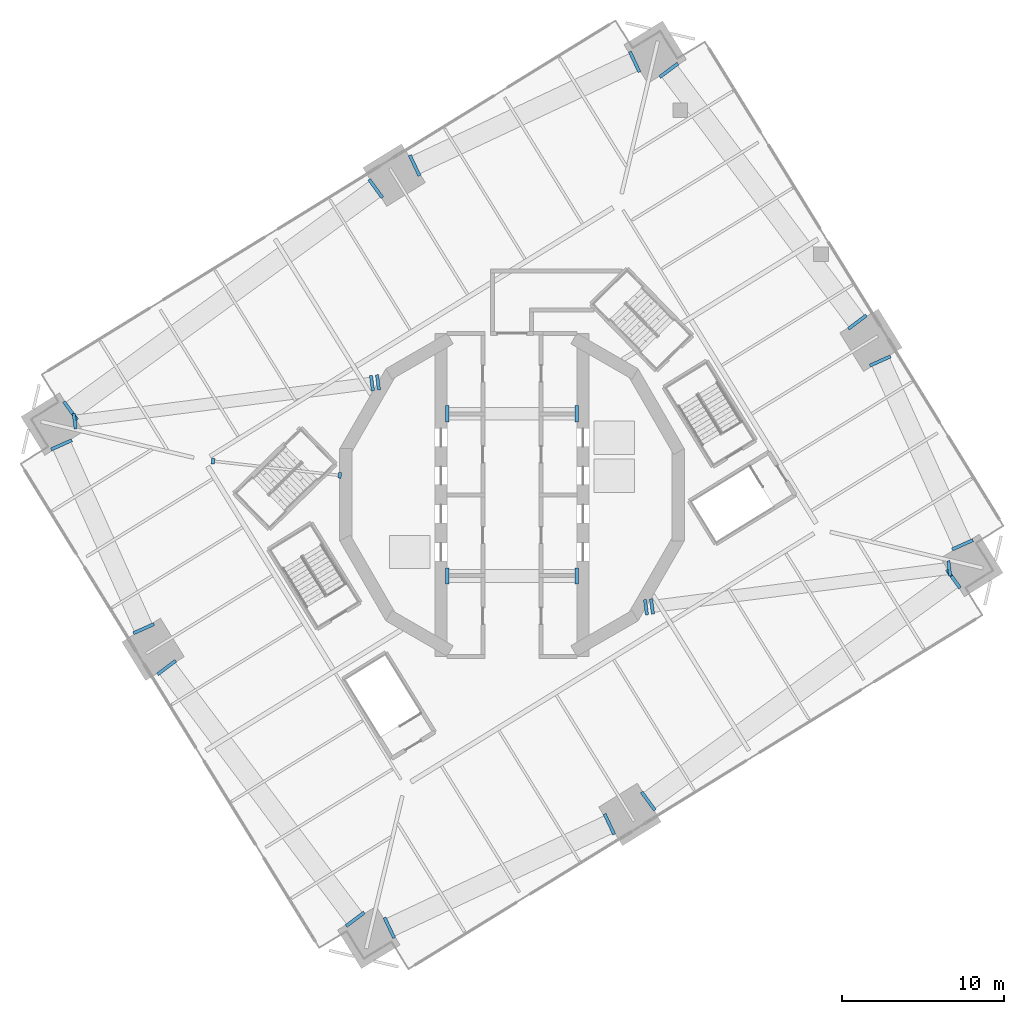
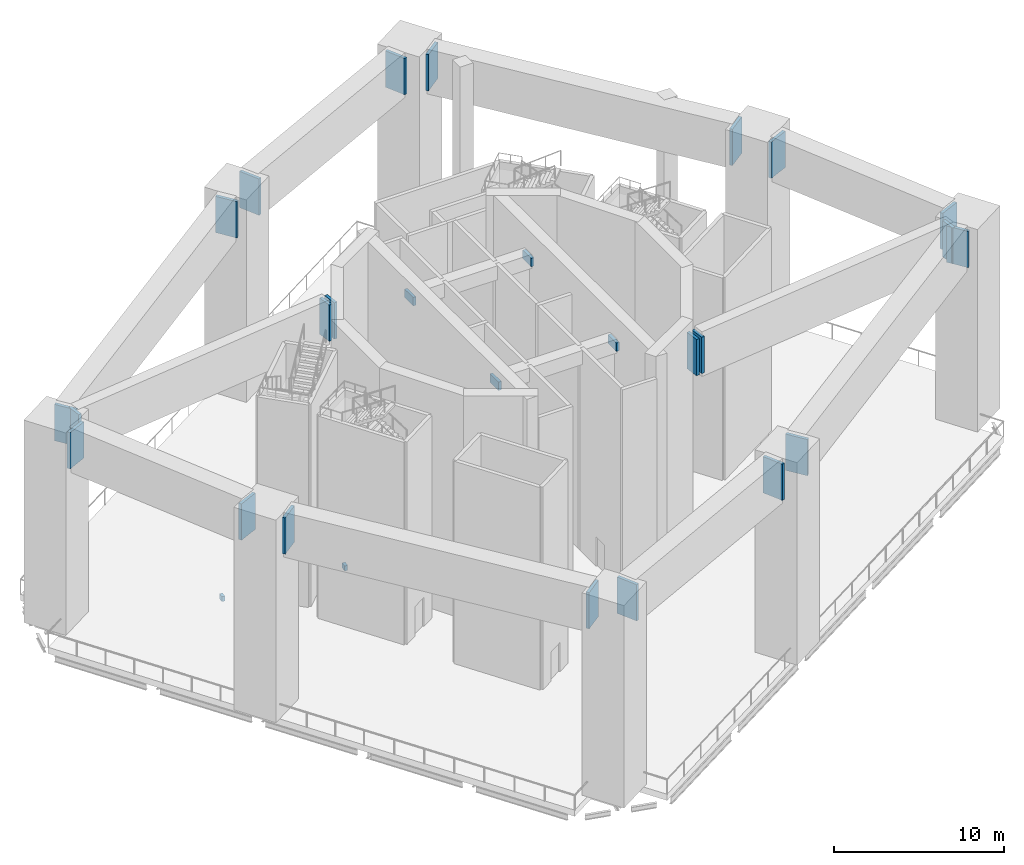
# One storey, part 9 of 15: 28 discrete accessories.
"""IFC4 building model written with IfcOpenShell, lengths in metres."""

from ifc_helpers import new_model, si_unit, direction, frame, origin, place, context, subcontext, project, spatial, polyline, outline, extrude, material, layer, layer_set, type_object, element, save


model = new_model("IFC4")

# Units and contexts
model_context = context("Model", 3, precision=1e-05, world=origin(), true_north=direction((0.0, 1.0)))
body_context = subcontext(model_context, "Body", "Model", "MODEL_VIEW")
ifc_project = project(units=[si_unit("LENGTHUNIT", "METRE"), si_unit("AREAUNIT", "SQUARE_METRE"), si_unit("VOLUMEUNIT", "CUBIC_METRE"), si_unit("PLANEANGLEUNIT", "RADIAN"), si_unit("MASSUNIT", "GRAM", prefix="KILO")], contexts=[model_context])

# Site, building, storey
site_placement = place(None, origin())
site = spatial("IfcSite", under=ifc_project, at=site_placement, CompositionType="ELEMENT")
building_placement = place(site_placement, origin())
building = spatial("IfcBuilding", under=site, at=building_placement, Name="Cantera Rosa Tower", CompositionType="ELEMENT")
storey_placement = place(building_placement, frame((0.0, 0.0, 189.39990234375)))
storey = spatial("IfcBuildingStorey", under=building, at=storey_placement, Name="L42", CompositionType="ELEMENT", Elevation=189.39990234375)

# Discrete accessories
ifc_material = material(Name="Steel ASTM A992 (Fy 345 MPa)", Category="steel")
ifc_layer = layer(ifc_material, 0.0400390625)
ifc_layer_set = layer_set([ifc_layer], Name="STEEL BEARING PLATE 40")
discrete_accessory_type = type_object("IfcDiscreteAccessoryType", Name="STEEL BEARING PLATE 40", PredefinedType="ANCHORPLATE", material=ifc_layer_set)
discrete_accessory_1_placement = place(storey_placement, frame((0.0, 0.0, 11.60009765625)))
element("IfcDiscreteAccessory", 1, at=discrete_accessory_1_placement, inside=storey, type_object=discrete_accessory_type, Name="BEARING PLATE PGB-L42-1 end 1", PredefinedType="ANCHORPLATE", context=body_context, shape_type="SweptSolid", body=[
    extrude(outline(polyline([(-20.682373046875, -10.314208984375), (-20.80224609375, -10.154052734375), (-21.922607421875, -10.993408203125), (-21.802734375, -11.153564453125), (-20.682373046875, -10.314208984375)])), origin(), (0.0, 0.0, 1.0), 2.60009765625),
])
discrete_accessory_2_placement = place(storey_placement, frame((0.0, 0.0, 11.60009765625)))
element("IfcDiscreteAccessory", 2, at=discrete_accessory_2_placement, inside=storey, type_object=discrete_accessory_type, Name="BEARING PLATE PGB-L42-1 end 2", PredefinedType="ANCHORPLATE", context=body_context, shape_type="SweptSolid", body=[
    extrude(outline(polyline([(-10.2919921875, -26.5205078125), (-10.172119140625, -26.6806640625), (-9.051513671875, -25.84130859375), (-9.17138671875, -25.681396484375), (-10.2919921875, -26.5205078125)])), origin(), (0.0, 0.0, 1.0), 2.60009765625),
])
discrete_accessory_3_placement = place(storey_placement, frame((0.0, 0.0, 11.60009765625)))
element("IfcDiscreteAccessory", 3, at=discrete_accessory_3_placement, inside=storey, type_object=discrete_accessory_type, Name="BEARING PLATE PGB-L42-2 end 1", PredefinedType="ANCHORPLATE", context=body_context, shape_type="SweptSolid", body=[
    extrude(outline(polyline([(-7.7734375, -26.029296875), (-7.954345703125, -26.114501953125), (-7.35791015625, -27.381103515625), (-7.177001953125, -27.295654296875), (-7.7734375, -26.029296875)])), origin(), (0.0, 0.0, 1.0), 2.60009765625),
])
discrete_accessory_4_placement = place(storey_placement, frame((0.0, 0.0, 11.60009765625)))
element("IfcDiscreteAccessory", 4, at=discrete_accessory_4_placement, inside=storey, type_object=discrete_accessory_type, Name="BEARING PLATE PGB-L42-2 end 2", PredefinedType="ANCHORPLATE", context=body_context, shape_type="SweptSolid", body=[
    extrude(outline(polyline([(6.215087890625, -20.9892578125), (6.39599609375, -20.904052734375), (5.799560546875, -19.637451171875), (5.61865234375, -19.72265625), (6.215087890625, -20.9892578125)])), origin(), (0.0, 0.0, 1.0), 2.60009765625),
])
discrete_accessory_5_placement = place(storey_placement, frame((0.0, 0.0, 11.60009765625)))
element("IfcDiscreteAccessory", 5, at=discrete_accessory_5_placement, inside=storey, type_object=discrete_accessory_type, Name="BEARING PLATE PGB-L42-3 end 1", PredefinedType="ANCHORPLATE", context=body_context, shape_type="SweptSolid", body=[
    extrude(outline(polyline([(8.07421875, -18.26806640625), (7.91259765625, -18.3857421875), (8.73681640625, -19.517578125), (8.8984375, -19.399658203125), (8.07421875, -18.26806640625)])), origin(), (0.0, 0.0, 1.0), 2.60009765625),
])
discrete_accessory_6_placement = place(storey_placement, frame((0.0, 0.0, 11.60009765625)))
element("IfcDiscreteAccessory", 6, at=discrete_accessory_6_placement, inside=storey, type_object=discrete_accessory_type, Name="BEARING PLATE PGB-L42-3 end 2", PredefinedType="ANCHORPLATE", context=body_context, shape_type="SweptSolid", body=[
    extrude(outline(polyline([(27.56103515625, -5.808837890625), (27.72265625, -5.691162109375), (26.8984375, -4.5595703125), (26.73681640625, -4.67724609375), (27.56103515625, -5.808837890625)])), origin(), (0.0, 0.0, 1.0), 2.60009765625),
])
discrete_accessory_7_placement = place(storey_placement, frame((0.0, 0.0, 11.60009765625)))
element("IfcDiscreteAccessory", 7, at=discrete_accessory_7_placement, inside=storey, type_object=discrete_accessory_type, Name="BEARING PLATE PGB-L42-4 end 1", PredefinedType="ANCHORPLATE", context=body_context, shape_type="SweptSolid", body=[
    extrude(outline(polyline([(27.109619140625, -3.277099609375), (27.19140625, -3.45947265625), (28.46923828125, -2.887451171875), (28.387451171875, -2.704833984375), (27.109619140625, -3.277099609375)])), origin(), (0.0, 0.0, 1.0), 2.60009765625),
])
discrete_accessory_8_placement = place(storey_placement, frame((0.0, 0.0, 11.60009765625)))
element("IfcDiscreteAccessory", 8, at=discrete_accessory_8_placement, inside=storey, type_object=discrete_accessory_type, Name="BEARING PLATE PGB-L42-4 end 2", PredefinedType="ANCHORPLATE", context=body_context, shape_type="SweptSolid", body=[
    extrude(outline(polyline([(23.3935546875, 8.4501953125), (23.31201171875, 8.6328125), (22.0341796875, 8.060791015625), (22.11572265625, 7.878173828125), (23.3935546875, 8.4501953125)])), origin(), (0.0, 0.0, 1.0), 2.60009765625),
])
discrete_accessory_9_placement = place(storey_placement, frame((0.0, 0.0, 11.60009765625)))
element("IfcDiscreteAccessory", 9, at=discrete_accessory_9_placement, inside=storey, type_object=discrete_accessory_type, Name="BEARING PLATE PGB-L42-5 end 1", PredefinedType="ANCHORPLATE", context=body_context, shape_type="SweptSolid", body=[
    extrude(outline(polyline([(20.682373046875, 10.314208984375), (20.80224609375, 10.154052734375), (21.922607421875, 10.993408203125), (21.802734375, 11.153564453125), (20.682373046875, 10.314208984375)])), origin(), (0.0, 0.0, 1.0), 2.60009765625),
])
discrete_accessory_10_placement = place(storey_placement, frame((0.0, 0.0, 11.60009765625)))
element("IfcDiscreteAccessory", 10, at=discrete_accessory_10_placement, inside=storey, type_object=discrete_accessory_type, Name="BEARING PLATE PGB-L42-5 end 2", PredefinedType="ANCHORPLATE", context=body_context, shape_type="SweptSolid", body=[
    extrude(outline(polyline([(10.2919921875, 26.5205078125), (10.172119140625, 26.6806640625), (9.051513671875, 25.84130859375), (9.17138671875, 25.681396484375), (10.2919921875, 26.5205078125)])), origin(), (0.0, 0.0, 1.0), 2.60009765625),
])
discrete_accessory_11_placement = place(storey_placement, frame((0.0, 0.0, 11.60009765625)))
element("IfcDiscreteAccessory", 11, at=discrete_accessory_11_placement, inside=storey, type_object=discrete_accessory_type, Name="BEARING PLATE PGB-L42-6 end 1", PredefinedType="ANCHORPLATE", context=body_context, shape_type="SweptSolid", body=[
    extrude(outline(polyline([(7.7734375, 26.029296875), (7.954345703125, 26.114501953125), (7.35791015625, 27.381103515625), (7.177001953125, 27.295654296875), (7.7734375, 26.029296875)])), origin(), (0.0, 0.0, 1.0), 2.60009765625),
])
discrete_accessory_12_placement = place(storey_placement, frame((0.0, 0.0, 11.60009765625)))
element("IfcDiscreteAccessory", 12, at=discrete_accessory_12_placement, inside=storey, type_object=discrete_accessory_type, Name="BEARING PLATE PGB-L42-6 end 2", PredefinedType="ANCHORPLATE", context=body_context, shape_type="SweptSolid", body=[
    extrude(outline(polyline([(-6.215087890625, 20.9892578125), (-6.39599609375, 20.904052734375), (-5.799560546875, 19.637451171875), (-5.61865234375, 19.72265625), (-6.215087890625, 20.9892578125)])), origin(), (0.0, 0.0, 1.0), 2.60009765625),
])
discrete_accessory_13_placement = place(storey_placement, frame((0.0, 0.0, 11.60009765625)))
element("IfcDiscreteAccessory", 13, at=discrete_accessory_13_placement, inside=storey, type_object=discrete_accessory_type, Name="BEARING PLATE PGB-L42-7 end 1", PredefinedType="ANCHORPLATE", context=body_context, shape_type="SweptSolid", body=[
    extrude(outline(polyline([(-8.07421875, 18.26806640625), (-7.91259765625, 18.3857421875), (-8.73681640625, 19.517578125), (-8.8984375, 19.399658203125), (-8.07421875, 18.26806640625)])), origin(), (0.0, 0.0, 1.0), 2.60009765625),
])
discrete_accessory_14_placement = place(storey_placement, frame((0.0, 0.0, 11.60009765625)))
element("IfcDiscreteAccessory", 14, at=discrete_accessory_14_placement, inside=storey, type_object=discrete_accessory_type, Name="BEARING PLATE PGB-L42-7 end 2", PredefinedType="ANCHORPLATE", context=body_context, shape_type="SweptSolid", body=[
    extrude(outline(polyline([(-27.56103515625, 5.808837890625), (-27.72265625, 5.691162109375), (-26.8984375, 4.5595703125), (-26.73681640625, 4.67724609375), (-27.56103515625, 5.808837890625)])), origin(), (0.0, 0.0, 1.0), 2.60009765625),
])
discrete_accessory_15_placement = place(storey_placement, frame((0.0, 0.0, 11.60009765625)))
element("IfcDiscreteAccessory", 15, at=discrete_accessory_15_placement, inside=storey, type_object=discrete_accessory_type, Name="BEARING PLATE PGB-L42-8 end 1", PredefinedType="ANCHORPLATE", context=body_context, shape_type="SweptSolid", body=[
    extrude(outline(polyline([(-27.109619140625, 3.277099609375), (-27.19140625, 3.45947265625), (-28.46923828125, 2.887451171875), (-28.387451171875, 2.704833984375), (-27.109619140625, 3.277099609375)])), origin(), (0.0, 0.0, 1.0), 2.60009765625),
])
discrete_accessory_16_placement = place(storey_placement, frame((0.0, 0.0, 11.60009765625)))
element("IfcDiscreteAccessory", 16, at=discrete_accessory_16_placement, inside=storey, type_object=discrete_accessory_type, Name="BEARING PLATE PGB-L42-8 end 2", PredefinedType="ANCHORPLATE", context=body_context, shape_type="SweptSolid", body=[
    extrude(outline(polyline([(-23.3935546875, -8.4501953125), (-23.31201171875, -8.6328125), (-22.0341796875, -8.060791015625), (-22.11572265625, -7.878173828125), (-23.3935546875, -8.4501953125)])), origin(), (0.0, 0.0, 1.0), 2.60009765625),
])
discrete_accessory_17_placement = place(storey_placement, frame((0.0, 0.0, 11.60009765625)))
element("IfcDiscreteAccessory", 17, at=discrete_accessory_17_placement, inside=storey, type_object=discrete_accessory_type, Name="BEARING PLATE OR-E42 end 1", PredefinedType="ANCHORPLATE", context=body_context, shape_type="SweptSolid", body=[
    extrude(outline(polyline([(8.3037109375, -6.451171875), (8.10546875, -6.476806640625), (8.22607421875, -7.4189453125), (8.424560546875, -7.3935546875), (8.3037109375, -6.451171875)])), origin(), (0.0, 0.0, 1.0), 2.60009765625),
])
discrete_accessory_18_placement = place(storey_placement, frame((0.0, 0.0, 11.60009765625)))
element("IfcDiscreteAccessory", 18, at=discrete_accessory_18_placement, inside=storey, type_object=discrete_accessory_type, Name="BEARING PLATE OR-E42 end 2", PredefinedType="ANCHORPLATE", context=body_context, shape_type="SweptSolid", body=[
    extrude(outline(polyline([(26.93408203125, -5.021728515625), (27.13232421875, -4.996337890625), (27.01171875, -4.05419921875), (26.813232421875, -4.07958984375), (26.93408203125, -5.021728515625)])), origin(), (0.0, 0.0, 1.0), 2.60009765625),
])
discrete_accessory_19_placement = place(storey_placement, frame((0.0, 0.0, 11.60009765625)))
element("IfcDiscreteAccessory", 19, at=discrete_accessory_19_placement, inside=storey, type_object=discrete_accessory_type, Name="BEARING PLATE OR-W42 end 1", PredefinedType="ANCHORPLATE", context=body_context, shape_type="SweptSolid", body=[
    extrude(outline(polyline([(-8.3037109375, 6.451171875), (-8.10546875, 6.476806640625), (-8.22607421875, 7.4189453125), (-8.424560546875, 7.3935546875), (-8.3037109375, 6.451171875)])), origin(), (0.0, 0.0, 1.0), 2.60009765625),
])
discrete_accessory_20_placement = place(storey_placement, frame((0.0, 0.0, 11.60009765625)))
element("IfcDiscreteAccessory", 20, at=discrete_accessory_20_placement, inside=storey, type_object=discrete_accessory_type, Name="BEARING PLATE OR-W42 end 2", PredefinedType="ANCHORPLATE", context=body_context, shape_type="SweptSolid", body=[
    extrude(outline(polyline([(-26.93408203125, 5.021728515625), (-27.13232421875, 4.996337890625), (-27.01171875, 4.05419921875), (-26.813232421875, 4.07958984375), (-26.93408203125, 5.021728515625)])), origin(), (0.0, 0.0, 1.0), 2.60009765625),
])
discrete_accessory_21_placement = place(storey_placement, frame((0.0, 0.0, 13.7001953125)))
element("IfcDiscreteAccessory", 21, at=discrete_accessory_21_placement, inside=storey, type_object=discrete_accessory_type, Name="BEARING PLATE CPL-L42-1 end 1", PredefinedType="ANCHORPLATE", context=body_context, shape_type="SweptSolid", body=[
    extrude(outline(polyline([(-3.89990234375, -4.5), (-4.10009765625, -4.5), (-4.10009765625, -5.5), (-3.89990234375, -5.5), (-3.89990234375, -4.5)])), origin(), (0.0, 0.0, 1.0), 0.599853515625),
])
discrete_accessory_22_placement = place(storey_placement, frame((0.0, 0.0, 13.7001953125)))
element("IfcDiscreteAccessory", 22, at=discrete_accessory_22_placement, inside=storey, type_object=discrete_accessory_type, Name="BEARING PLATE CPL-L42-1 end 2", PredefinedType="ANCHORPLATE", context=body_context, shape_type="SweptSolid", body=[
    extrude(outline(polyline([(3.89990234375, -5.5), (4.10009765625, -5.5), (4.10009765625, -4.5), (3.89990234375, -4.5), (3.89990234375, -5.5)])), origin(), (0.0, 0.0, 1.0), 0.599853515625),
])
discrete_accessory_23_placement = place(storey_placement, frame((0.0, 0.0, 13.7001953125)))
element("IfcDiscreteAccessory", 23, at=discrete_accessory_23_placement, inside=storey, type_object=discrete_accessory_type, Name="BEARING PLATE CPL-L42-2 end 1", PredefinedType="ANCHORPLATE", context=body_context, shape_type="SweptSolid", body=[
    extrude(outline(polyline([(-3.89990234375, 5.5), (-4.10009765625, 5.5), (-4.10009765625, 4.5), (-3.89990234375, 4.5), (-3.89990234375, 5.5)])), origin(), (0.0, 0.0, 1.0), 0.599853515625),
])
discrete_accessory_24_placement = place(storey_placement, frame((0.0, 0.0, 13.7001953125)))
element("IfcDiscreteAccessory", 24, at=discrete_accessory_24_placement, inside=storey, type_object=discrete_accessory_type, Name="BEARING PLATE CPL-L42-2 end 2", PredefinedType="ANCHORPLATE", context=body_context, shape_type="SweptSolid", body=[
    extrude(outline(polyline([(3.89990234375, 4.5), (4.10009765625, 4.5), (4.10009765625, 5.5), (3.89990234375, 5.5), (3.89990234375, 4.5)])), origin(), (0.0, 0.0, 1.0), 0.599853515625),
])
discrete_accessory_25_placement = place(storey_placement, frame((0.0, 0.0, -0.85986328125)))
element("IfcDiscreteAccessory", 25, at=discrete_accessory_25_placement, inside=storey, type_object=discrete_accessory_type, Name="BEARING PLATE PG-Z3-01 end 1 L42", PredefinedType="ANCHORPLATE", context=body_context, shape_type="SweptSolid", body=[
    extrude(outline(polyline([(-18.316650390625, 2.242919921875), (-18.515380859375, 2.265380859375), (-18.554931640625, 1.91357421875), (-18.356201171875, 1.89111328125), (-18.316650390625, 2.242919921875)])), origin(), (0.0, 0.0, 1.0), 0.35986328125),
])
discrete_accessory_26_placement = place(storey_placement, frame((0.0, 0.0, -0.85986328125)))
element("IfcDiscreteAccessory", 26, at=discrete_accessory_26_placement, inside=storey, type_object=discrete_accessory_type, Name="BEARING PLATE PG-Z3-01 end 2 L42", PredefinedType="ANCHORPLATE", context=body_context, shape_type="SweptSolid", body=[
    extrude(outline(polyline([(-10.744384765625, 1.033203125), (-10.545654296875, 1.0107421875), (-10.506103515625, 1.3623046875), (-10.70458984375, 1.384765625), (-10.744384765625, 1.033203125)])), origin(), (0.0, 0.0, 1.0), 0.35986328125),
])
discrete_accessory_27_placement = place(storey_placement, frame((0.0, 0.0, 11.60009765625)))
element("IfcDiscreteAccessory", 27, at=discrete_accessory_27_placement, inside=storey, type_object=discrete_accessory_type, Name="END PLATE OR-E42 L42 A", PredefinedType="ANCHORPLATE", context=body_context, shape_type="SweptSolid", body=[
    extrude(outline(polyline([(8.67578125, -6.403564453125), (8.477294921875, -6.428955078125), (8.59814453125, -7.371337890625), (8.79638671875, -7.345703125), (8.67578125, -6.403564453125)])), origin(), (0.0, 0.0, 1.0), 2.60009765625),
])
discrete_accessory_28_placement = place(storey_placement, frame((0.0, 0.0, 11.60009765625)))
element("IfcDiscreteAccessory", 28, at=discrete_accessory_28_placement, inside=storey, type_object=discrete_accessory_type, Name="END PLATE OR-W42 L42 A", PredefinedType="ANCHORPLATE", context=body_context, shape_type="SweptSolid", body=[
    extrude(outline(polyline([(-8.67578125, 6.403564453125), (-8.477294921875, 6.428955078125), (-8.59814453125, 7.371337890625), (-8.79638671875, 7.345703125), (-8.67578125, 6.403564453125)])), origin(), (0.0, 0.0, 1.0), 2.60009765625),
])

save(model, "model.ifc")
